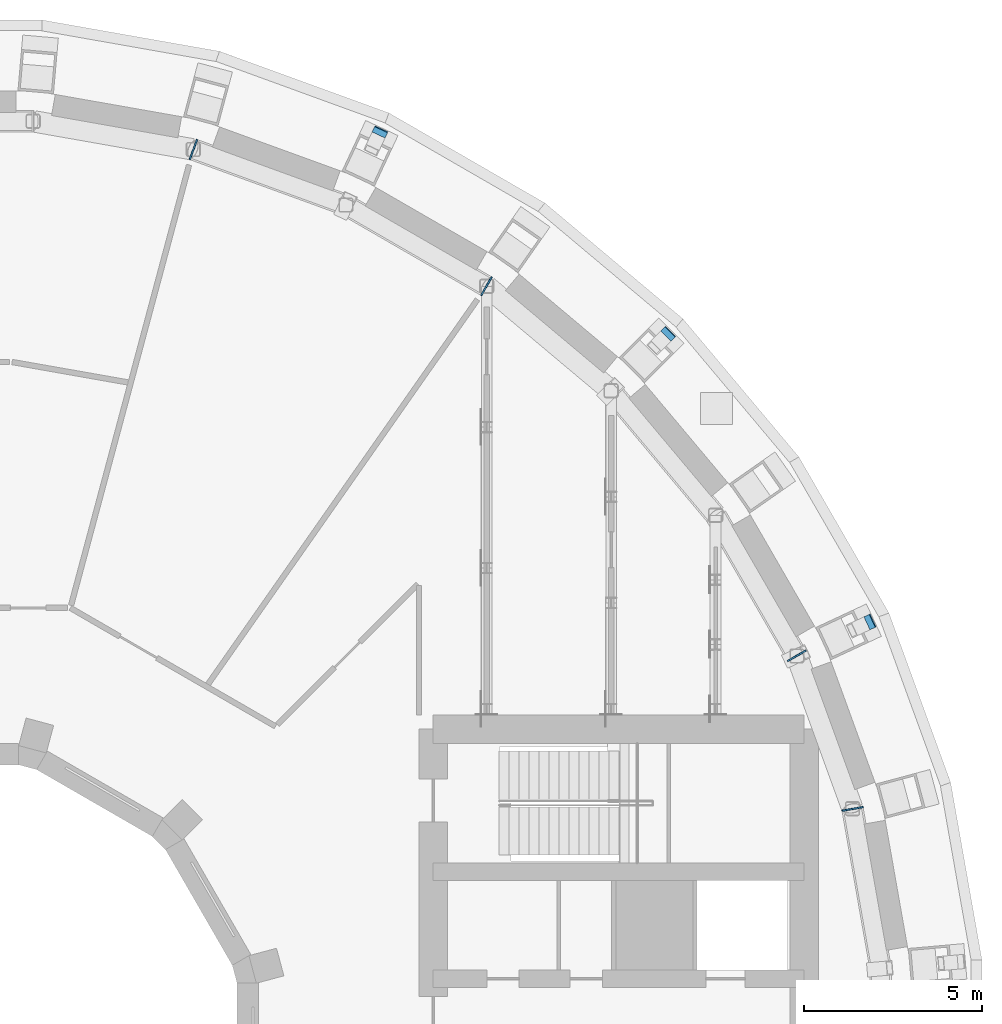
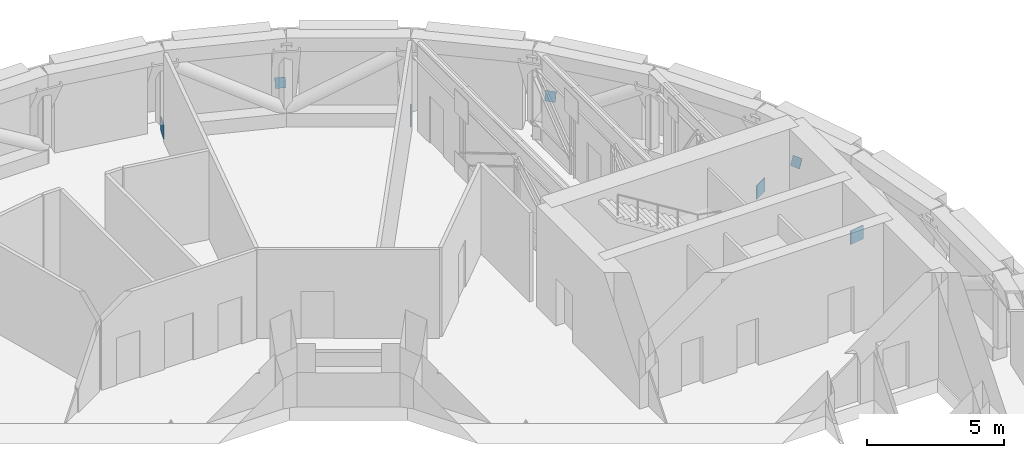
# One storey, part 18 of 19: 7 discrete accessories.
"""IFC4 building model written with IfcOpenShell, lengths in metres."""

from ifc_helpers import new_model, si_unit, direction, frame, origin, origin_2d, place, context, subcontext, project, spatial, rectangle, extrude, material, material_profile, profile_set, type_object, element, save


model = new_model("IFC4")

# Units and contexts
model_context = context("Model", 3, precision=1e-05, world=origin(), true_north=direction((0.0, 1.0)))
body_context = subcontext(model_context, "Body", "Model", "MODEL_VIEW")
ifc_project = project(units=[si_unit("LENGTHUNIT", "METRE"), si_unit("AREAUNIT", "SQUARE_METRE"), si_unit("VOLUMEUNIT", "CUBIC_METRE"), si_unit("PLANEANGLEUNIT", "RADIAN"), si_unit("MASSUNIT", "GRAM", prefix="KILO")], contexts=[model_context])

# Site, building, storey
site_placement = place(None, origin())
site = spatial("IfcSite", under=ifc_project, at=site_placement, CompositionType="ELEMENT")
building_placement = place(site_placement, origin())
building = spatial("IfcBuilding", under=site, at=building_placement, Name="Saqina Gate Tower", CompositionType="ELEMENT")
storey_placement = place(building_placement, frame((0.0, 0.0, 82.39990234375)))
storey = spatial("IfcBuildingStorey", under=building, at=storey_placement, Name="L23", CompositionType="ELEMENT", Elevation=82.39990234375)

# Discrete accessories
ifc_material_1 = material(Name="Steel S460", Category="steel")
ifc_material_profile_1 = material_profile(ifc_material_1, rectangle(XDim=0.39990234375, YDim=0.39990234375, at=origin_2d()), Name="STR-END PLATE-BOX 400x400x30")
ifc_profile_set_1 = profile_set([ifc_material_profile_1], Name="Steel S460")
discrete_accessory_type_1 = type_object("IfcDiscreteAccessoryType", Name="STR-END PLATE-BOX 400x400x30", PredefinedType="USERDEFINED", material=ifc_profile_set_1)
for number, where, z_axis, x_axis, name in (
    (1, (25.7392578125, 12.00244140625, 0.18212890625), (0.824359337042, 0.383612760802, -0.416260655338), (0.421905092484, -0.906640001816, 6.554031e-06), "END PLATE NODE TIE BEAM L23 03 FOOT START"),
    (2, (20.081787109375, 20.081787109375, 0.18212890625), (0.643255081633, 0.643255081633, -0.415265938776), (0.707106781187, -0.707106781187, 0.0), "END PLATE NODE TIE BEAM L23 05 FOOT START"),
    (3, (12.00244140625, 25.7392578125, 0.18212890625), (0.383612760802, 0.824359337042, -0.416260655338), (0.906640001816, -0.421905092484, -6.554031e-06), "END PLATE NODE TIE BEAM L23 07 FOOT START"),
):
    element("IfcDiscreteAccessory", number, at=place(storey_placement, frame(where, z_axis=z_axis, x_axis=x_axis)), inside=storey, type_object=discrete_accessory_type_1, Name=name, ObjectType="END PLATE", PredefinedType="USERDEFINED", context=body_context, shape_type="SweptSolid", body=[
        extrude(rectangle(XDim=0.39990234375, YDim=0.39990234375, at=origin_2d()), origin(), (0.0, 0.0, 1.0), 0.030029296875),
    ])
ifc_material_2 = material(Name="Steel S460", Category="steel")
ifc_material_profile_2 = material_profile(ifc_material_2, rectangle(XDim=0.60009765625, YDim=0.60009765625, at=origin_2d()), Name="STR-END PLATE-BOX 600x600x50")
ifc_profile_set_2 = profile_set([ifc_material_profile_2], Name="Steel S460")
discrete_accessory_type_2 = type_object("IfcDiscreteAccessoryType", Name="STR-END PLATE-BOX 600x600x50", PredefinedType="USERDEFINED", material=ifc_profile_set_2)
for number, where, z_axis, x_axis, name in (
    (4, (25.263427734375, 6.7421875, 0.300048828125), (-0.170314285219, 0.985389793052, 0.0), (-0.985389793052, -0.170314285219, 0.0), "END PLATE BELT TRUSS L23 CHORD 001 END"),
    (5, (23.686767578125, 11.07421875, 0.300048828125), (0.500074377092, -0.865982457891, 0.0), (-0.865982457891, -0.500074377092, 0.0), "END PLATE BELT TRUSS L23 CHORD 005 START"),
):
    element("IfcDiscreteAccessory", number, at=place(storey_placement, frame(where, z_axis=z_axis, x_axis=x_axis)), inside=storey, type_object=discrete_accessory_type_2, Name=name, ObjectType="END PLATE", PredefinedType="USERDEFINED", context=body_context, shape_type="SweptSolid", body=[
        extrude(rectangle(XDim=0.60009765625, YDim=0.60009765625, at=origin_2d()), origin(), (0.0, 0.0, 1.0), 0.0400390625),
    ])
discrete_accessory_1_placement = place(storey_placement, frame((14.976318359375, 21.433837890625, 0.300048828125), z_axis=(0.868619325293, -0.495480037667, 0.0), x_axis=(-0.495480037667, -0.868619325293, 0.0)))
element("IfcDiscreteAccessory", 6, at=discrete_accessory_1_placement, inside=storey, type_object=discrete_accessory_type_2, Name="END PLATE BELT TRUSS L23 CHORD 012 START", ObjectType="END PLATE", PredefinedType="USERDEFINED", context=body_context, shape_type="SweptSolid", body=[
    extrude(rectangle(XDim=0.60009765625, YDim=0.60009765625, at=origin_2d()), origin(), (0.0, 0.0, 1.0), 0.039794921875),
])
discrete_accessory_2_placement = place(storey_placement, frame((6.792724609375, 25.25, 0.300048828125), z_axis=(-0.939793423488, 0.341743063087, 0.0), x_axis=(-0.341743063087, -0.939793423488, 0.0)))
element("IfcDiscreteAccessory", 7, at=discrete_accessory_2_placement, inside=storey, type_object=discrete_accessory_type_2, Name="END PLATE BELT TRUSS L23 CHORD 015 END", ObjectType="END PLATE", PredefinedType="USERDEFINED", context=body_context, shape_type="SweptSolid", body=[
    extrude(rectangle(XDim=0.60009765625, YDim=0.60009765625, at=origin_2d()), origin(), (0.0, 0.0, 1.0), 0.0400390625),
])

save(model, "model.ifc")
